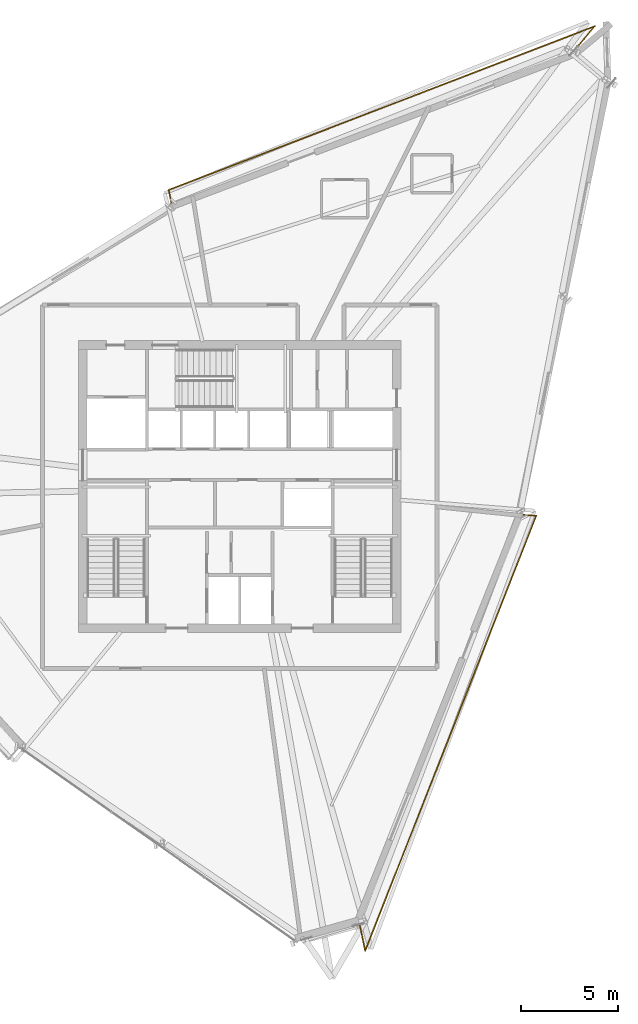
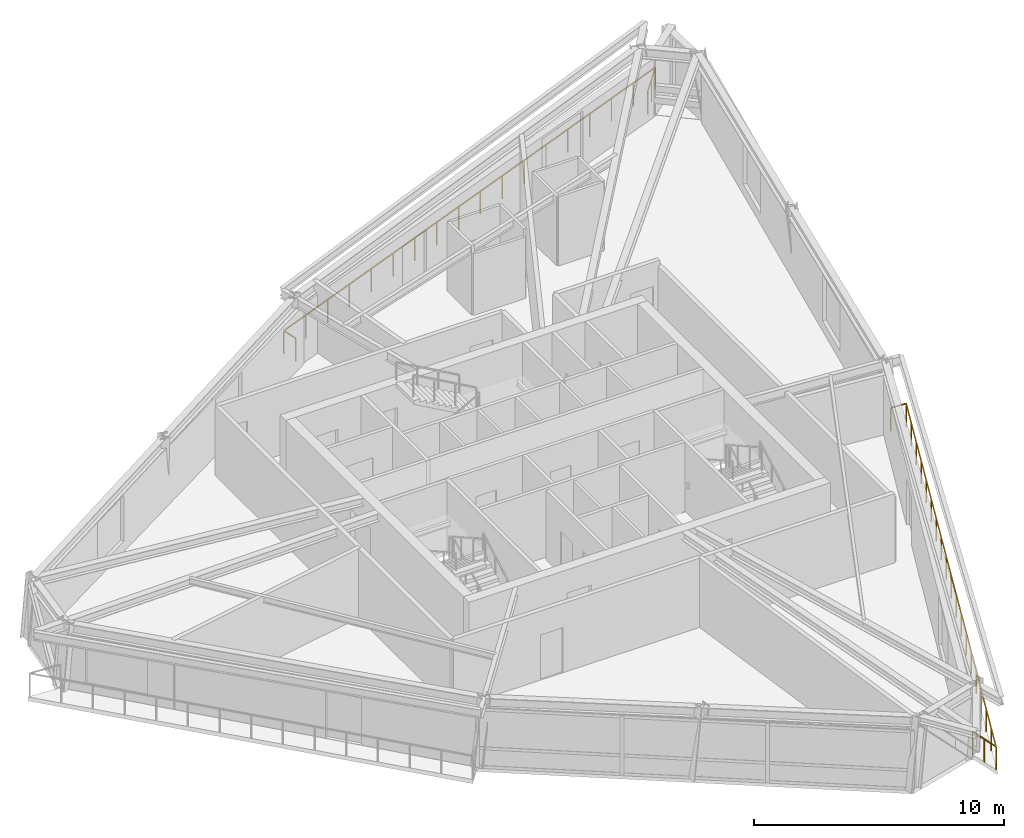
# One storey, part 13 of 13: 2 railings.
"""IFC4 building model written with IfcOpenShell, lengths in metres."""

from ifc_helpers import new_model, si_unit, direction, frame, origin, origin_2d, place, context, subcontext, project, spatial, rectangle, extrude, material, type_object, element, save


model = new_model("IFC4")

# Units and contexts
model_context = context("Model", 3, precision=1e-05, world=origin(), true_north=direction((0.0, 1.0)))
body_context = subcontext(model_context, "Body", "Model", "MODEL_VIEW")
ifc_project = project(units=[si_unit("LENGTHUNIT", "METRE"), si_unit("AREAUNIT", "SQUARE_METRE"), si_unit("VOLUMEUNIT", "CUBIC_METRE"), si_unit("PLANEANGLEUNIT", "RADIAN"), si_unit("MASSUNIT", "GRAM", prefix="KILO")], contexts=[model_context])

# Site, building, storey
site_placement = place(None, origin())
site = spatial("IfcSite", under=ifc_project, at=site_placement, CompositionType="ELEMENT")
building_placement = place(site_placement, origin())
building = spatial("IfcBuilding", under=site, at=building_placement, Name="Olszyna Solenne Hotel", CompositionType="ELEMENT")
storey_placement = place(building_placement, frame((0.0, 0.0, 238.10009765625)))
storey = spatial("IfcBuildingStorey", under=building, at=storey_placement, Name="L63", CompositionType="ELEMENT", Elevation=238.10009765625)

# Railings
ifc_material = material(Name="Anodised bronze aluminium", Category="aluminium")
railing_type = type_object("IfcRailingType", Name="GR-110", PredefinedType="BALUSTRADE", material=ifc_material)
railing_1_placement = place(storey_placement, frame((55.2783203125, 49.12939453125, 0.0)))
element("IfcRailing", 1, at=railing_1_placement, inside=storey, type_object=railing_type, Name="Loggia balcony balustrade guard GR-L63-LG1", PredefinedType="BALUSTRADE", context=body_context, shape_type="SweptSolid", body=[
    extrude(rectangle(XDim=0.048095703125, YDim=0.048095703125, at=origin_2d()), frame((0.0, 0.0, 1.1259765625), z_axis=(0.643669086744, 0.765303930978, 0.0), x_axis=(-0.765303930978, 0.643669086744, 0.0)), (0.0, 0.0, 1.0), 1.692138671875),
    extrude(rectangle(XDim=0.048095703125, YDim=0.048095703125, at=origin_2d()), frame((1.089111328125, 1.294921875, 1.1259765625), z_axis=(-0.933383697562, -0.358880026088, 0.0), x_axis=(0.358880026088, -0.933383697562, 0.0)), (0.0, 0.0, 1.0), 23.618896484375),
    extrude(rectangle(XDim=0.048095703125, YDim=0.048095703125, at=origin_2d()), frame((-20.956298828125, -7.181396484375, 1.1259765625), z_axis=(0.20207056464, -0.979370964909, 0.0), x_axis=(0.979370964909, 0.20207056464, 0.0)), (0.0, 0.0, 1.0), 0.709228515625),
    extrude(rectangle(XDim=0.0419921875, YDim=0.0419921875, at=origin_2d()), origin(), (0.0, 0.0, 1.0), 1.101806640625),
    extrude(rectangle(XDim=0.0419921875, YDim=0.0419921875, at=origin_2d()), frame((0.54443359375, 0.6474609375, 0.0)), (0.0, 0.0, 1.0), 1.101806640625),
    extrude(rectangle(XDim=0.0419921875, YDim=0.0419921875, at=origin_2d()), frame((1.089111328125, 1.294921875, 0.0)), (0.0, 0.0, 1.0), 1.101806640625),
    extrude(rectangle(XDim=0.0419921875, YDim=0.0419921875, at=origin_2d()), frame((-0.207763671875, 0.79638671875, 0.0)), (0.0, 0.0, 1.0), 1.101806640625),
    extrude(rectangle(XDim=0.0419921875, YDim=0.0419921875, at=origin_2d()), frame((-1.50439453125, 0.297607421875, 0.0)), (0.0, 0.0, 1.0), 1.101806640625),
    extrude(rectangle(XDim=0.0419921875, YDim=0.0419921875, at=origin_2d()), frame((-2.80126953125, -0.200927734375, 0.0)), (0.0, 0.0, 1.0), 1.101806640625),
    extrude(rectangle(XDim=0.0419921875, YDim=0.0419921875, at=origin_2d()), frame((-4.09814453125, -0.699462890625, 0.0)), (0.0, 0.0, 1.0), 1.101806640625),
    extrude(rectangle(XDim=0.0419921875, YDim=0.0419921875, at=origin_2d()), frame((-5.394775390625, -1.197998046875, 0.0)), (0.0, 0.0, 1.0), 1.101806640625),
    extrude(rectangle(XDim=0.0419921875, YDim=0.0419921875, at=origin_2d()), frame((-6.691650390625, -1.69677734375, 0.0)), (0.0, 0.0, 1.0), 1.101806640625),
    extrude(rectangle(XDim=0.0419921875, YDim=0.0419921875, at=origin_2d()), frame((-7.988525390625, -2.1953125, 0.0)), (0.0, 0.0, 1.0), 1.101806640625),
    extrude(rectangle(XDim=0.0419921875, YDim=0.0419921875, at=origin_2d()), frame((-9.28515625, -2.69384765625, 0.0)), (0.0, 0.0, 1.0), 1.101806640625),
    extrude(rectangle(XDim=0.0419921875, YDim=0.0419921875, at=origin_2d()), frame((-10.58203125, -3.192626953125, 0.0)), (0.0, 0.0, 1.0), 1.101806640625),
    extrude(rectangle(XDim=0.0419921875, YDim=0.0419921875, at=origin_2d()), frame((-11.878662109375, -3.691162109375, 0.0)), (0.0, 0.0, 1.0), 1.101806640625),
    extrude(rectangle(XDim=0.0419921875, YDim=0.0419921875, at=origin_2d()), frame((-13.175537109375, -4.189697265625, 0.0)), (0.0, 0.0, 1.0), 1.101806640625),
    extrude(rectangle(XDim=0.0419921875, YDim=0.0419921875, at=origin_2d()), frame((-14.472412109375, -4.6884765625, 0.0)), (0.0, 0.0, 1.0), 1.101806640625),
    extrude(rectangle(XDim=0.0419921875, YDim=0.0419921875, at=origin_2d()), frame((-15.76904296875, -5.18701171875, 0.0)), (0.0, 0.0, 1.0), 1.101806640625),
    extrude(rectangle(XDim=0.0419921875, YDim=0.0419921875, at=origin_2d()), frame((-17.06591796875, -5.685546875, 0.0)), (0.0, 0.0, 1.0), 1.101806640625),
    extrude(rectangle(XDim=0.0419921875, YDim=0.0419921875, at=origin_2d()), frame((-18.36279296875, -6.18408203125, 0.0)), (0.0, 0.0, 1.0), 1.101806640625),
    extrude(rectangle(XDim=0.0419921875, YDim=0.0419921875, at=origin_2d()), frame((-19.659423828125, -6.682861328125, 0.0)), (0.0, 0.0, 1.0), 1.101806640625),
    extrude(rectangle(XDim=0.0419921875, YDim=0.0419921875, at=origin_2d()), frame((-20.956298828125, -7.181396484375, 0.0)), (0.0, 0.0, 1.0), 1.101806640625),
    extrude(rectangle(XDim=0.0419921875, YDim=0.0419921875, at=origin_2d()), frame((-20.81298828125, -7.8759765625, 0.0)), (0.0, 0.0, 1.0), 1.101806640625),
])
railing_2_placement = place(storey_placement, frame((44.201416015625, 3.968017578125, 0.0)))
element("IfcRailing", 2, at=railing_2_placement, inside=storey, type_object=railing_type, Name="Loggia balcony balustrade guard GR-L63-LG3", PredefinedType="BALUSTRADE", context=body_context, shape_type="SweptSolid", body=[
    extrude(rectangle(XDim=0.048095703125, YDim=0.048095703125, at=origin_2d()), frame((0.0, 0.0, 1.1259765625), z_axis=(0.20207056464, -0.979370964909, 0.0), x_axis=(0.979370964909, 0.20207056464, 0.0)), (0.0, 0.0, 1.0), 1.41845703125),
    extrude(rectangle(XDim=0.048095703125, YDim=0.048095703125, at=origin_2d()), frame((0.28662109375, -1.38916015625, 1.1259765625), z_axis=(0.365783799236, 0.930699850766, 0.0), x_axis=(-0.930699850766, 0.365783799236, 0.0)), (0.0, 0.0, 1.0), 24.195556640625),
    extrude(rectangle(XDim=0.048095703125, YDim=0.048095703125, at=origin_2d()), frame((9.136962890625, 21.129638671875, 1.1259765625), z_axis=(-0.997638700283, 0.068680591858, 0.0), x_axis=(-0.068680591858, -0.997638700283, 0.0)), (0.0, 0.0, 1.0), 0.689697265625),
    extrude(rectangle(XDim=0.0419921875, YDim=0.0419921875, at=origin_2d()), origin(), (0.0, 0.0, 1.0), 1.101806640625),
    extrude(rectangle(XDim=0.0419921875, YDim=0.0419921875, at=origin_2d()), frame((0.143310546875, -0.694580078125, 0.0)), (0.0, 0.0, 1.0), 1.101806640625),
    extrude(rectangle(XDim=0.0419921875, YDim=0.0419921875, at=origin_2d()), frame((0.28662109375, -1.38916015625, 0.0)), (0.0, 0.0, 1.0), 1.101806640625),
    extrude(rectangle(XDim=0.0419921875, YDim=0.0419921875, at=origin_2d()), frame((0.7783203125, -0.13818359375, 0.0)), (0.0, 0.0, 1.0), 1.101806640625),
    extrude(rectangle(XDim=0.0419921875, YDim=0.0419921875, at=origin_2d()), frame((1.27001953125, 1.113037109375, 0.0)), (0.0, 0.0, 1.0), 1.101806640625),
    extrude(rectangle(XDim=0.0419921875, YDim=0.0419921875, at=origin_2d()), frame((1.76171875, 2.364013671875, 0.0)), (0.0, 0.0, 1.0), 1.101806640625),
    extrude(rectangle(XDim=0.0419921875, YDim=0.0419921875, at=origin_2d()), frame((2.25341796875, 3.614990234375, 0.0)), (0.0, 0.0, 1.0), 1.101806640625),
    extrude(rectangle(XDim=0.0419921875, YDim=0.0419921875, at=origin_2d()), frame((2.7451171875, 4.865966796875, 0.0)), (0.0, 0.0, 1.0), 1.101806640625),
    extrude(rectangle(XDim=0.0419921875, YDim=0.0419921875, at=origin_2d()), frame((3.23681640625, 6.1171875, 0.0)), (0.0, 0.0, 1.0), 1.101806640625),
    extrude(rectangle(XDim=0.0419921875, YDim=0.0419921875, at=origin_2d()), frame((3.728515625, 7.3681640625, 0.0)), (0.0, 0.0, 1.0), 1.101806640625),
    extrude(rectangle(XDim=0.0419921875, YDim=0.0419921875, at=origin_2d()), frame((4.22021484375, 8.619140625, 0.0)), (0.0, 0.0, 1.0), 1.101806640625),
    extrude(rectangle(XDim=0.0419921875, YDim=0.0419921875, at=origin_2d()), frame((4.7119140625, 9.8701171875, 0.0)), (0.0, 0.0, 1.0), 1.101806640625),
    extrude(rectangle(XDim=0.0419921875, YDim=0.0419921875, at=origin_2d()), frame((5.203369140625, 11.121337890625, 0.0)), (0.0, 0.0, 1.0), 1.101806640625),
    extrude(rectangle(XDim=0.0419921875, YDim=0.0419921875, at=origin_2d()), frame((5.695068359375, 12.372314453125, 0.0)), (0.0, 0.0, 1.0), 1.101806640625),
    extrude(rectangle(XDim=0.0419921875, YDim=0.0419921875, at=origin_2d()), frame((6.186767578125, 13.623291015625, 0.0)), (0.0, 0.0, 1.0), 1.101806640625),
    extrude(rectangle(XDim=0.0419921875, YDim=0.0419921875, at=origin_2d()), frame((6.678466796875, 14.87451171875, 0.0)), (0.0, 0.0, 1.0), 1.101806640625),
    extrude(rectangle(XDim=0.0419921875, YDim=0.0419921875, at=origin_2d()), frame((7.170166015625, 16.12548828125, 0.0)), (0.0, 0.0, 1.0), 1.101806640625),
    extrude(rectangle(XDim=0.0419921875, YDim=0.0419921875, at=origin_2d()), frame((7.661865234375, 17.37646484375, 0.0)), (0.0, 0.0, 1.0), 1.101806640625),
    extrude(rectangle(XDim=0.0419921875, YDim=0.0419921875, at=origin_2d()), frame((8.153564453125, 18.62744140625, 0.0)), (0.0, 0.0, 1.0), 1.101806640625),
    extrude(rectangle(XDim=0.0419921875, YDim=0.0419921875, at=origin_2d()), frame((8.645263671875, 19.878662109375, 0.0)), (0.0, 0.0, 1.0), 1.101806640625),
    extrude(rectangle(XDim=0.0419921875, YDim=0.0419921875, at=origin_2d()), frame((9.136962890625, 21.129638671875, 0.0)), (0.0, 0.0, 1.0), 1.101806640625),
    extrude(rectangle(XDim=0.0419921875, YDim=0.0419921875, at=origin_2d()), frame((8.448974609375, 21.177001953125, 0.0)), (0.0, 0.0, 1.0), 1.101806640625),
])

save(model, "model.ifc")
